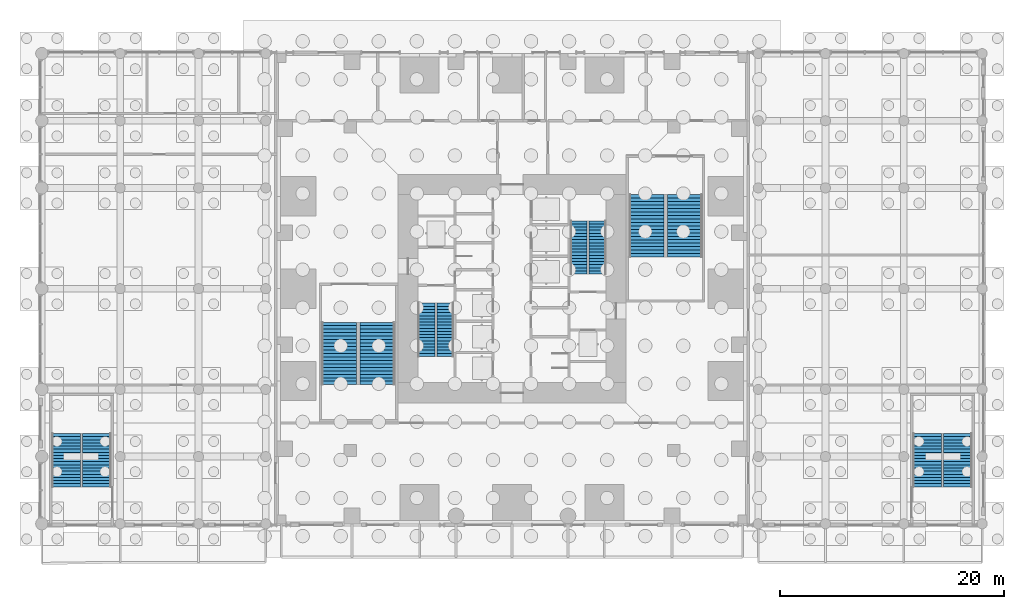
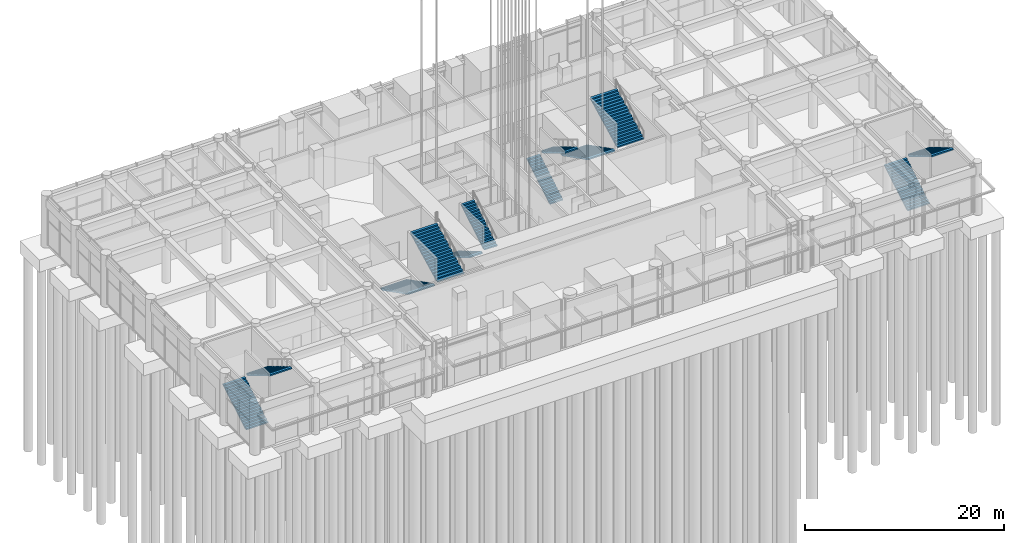
# One storey, part 26 of 46: 12 stair flights, 6 elements without a shape of their own.
"""IFC4 building model written with IfcOpenShell, lengths in metres."""

from ifc_helpers import new_model, si_unit, direction, frame, origin, place, context, subcontext, project, spatial, polyline, outline, extrude, material, type_object, element, aggregate, save


model = new_model("IFC4")

# Units and contexts
model_context = context("Model", 3, precision=1e-05, world=origin(), true_north=direction((0.0, 1.0)))
body_context = subcontext(model_context, "Body", "Model", "MODEL_VIEW")
ifc_project = project(units=[si_unit("LENGTHUNIT", "METRE"), si_unit("AREAUNIT", "SQUARE_METRE"), si_unit("VOLUMEUNIT", "CUBIC_METRE"), si_unit("PLANEANGLEUNIT", "RADIAN"), si_unit("MASSUNIT", "GRAM", prefix="KILO")], contexts=[model_context])

# Site, building, storey
site_placement = place(None, origin())
site = spatial("IfcSite", under=ifc_project, at=site_placement, CompositionType="ELEMENT")
building_placement = place(site_placement, origin())
building = spatial("IfcBuilding", under=site, at=building_placement, Name="Svetlomir Tower", CompositionType="ELEMENT")
storey_placement = place(building_placement, origin())
storey = spatial("IfcBuildingStorey", under=building, at=storey_placement, Name="L00", CompositionType="ELEMENT", Elevation=0.0)

# Stair, stair flights
ifc_material_1 = material(Name="Concrete C60/75", Category="concrete")
stair_type_1 = type_object("IfcStairType", Name="EXIT STAIR 3200 RISE 6000", PredefinedType="HALF_TURN_STAIR", material=ifc_material_1)
stair_1_placement = place(storey_placement, origin())
stair_1 = element("IfcStair", 1, at=stair_1_placement, inside=storey, type_object=stair_type_1, Name="Stair S1 L00 to L01", PredefinedType="HALF_TURN_STAIR")
ifc_material_2 = material(Name="Concrete C60/75", Category="concrete")
stair_flight_type_1 = type_object("IfcStairFlightType", Name="STAIR FLIGHT 1500 OF 18 RISERS", PredefinedType="STRAIGHT", material=ifc_material_2)
stair_flight_1_placement = place(storey_placement, frame((13.35009765625, 19.699951171875, 0.0), z_axis=(0.0, 0.0, 1.0), x_axis=(0.0, -1.0, 0.0)))
stair_flight_1 = element("IfcStairFlight", 2, at=stair_flight_1_placement, type_object=stair_flight_type_1, Name="S1 flight 1", NumberOfRisers=18, NumberOfTreads=17, PredefinedType="STRAIGHT", RiserHeight=0.166666667, TreadLength=0.28, context=body_context, shape_type="SweptSolid", body=[
    extrude(outline(polyline([(0.0, 0.0), (0.0, 0.166748046875), (0.280029296875, 0.166748046875), (0.280029296875, 0.333251953125), (0.56005859375, 0.333251953125), (0.56005859375, 0.5), (0.840087890625, 0.5), (0.840087890625, 0.666748046875), (1.1201171875, 0.666748046875), (1.1201171875, 0.833251953125), (1.39990234375, 0.833251953125), (1.39990234375, 1.0), (1.679931640625, 1.0), (1.679931640625, 1.166748046875), (1.9599609375, 1.166748046875), (1.9599609375, 1.333251953125), (2.239990234375, 1.333251953125), (2.239990234375, 1.5), (2.52001953125, 1.5), (2.52001953125, 1.666748046875), (2.800048828125, 1.666748046875), (2.800048828125, 1.833251953125), (3.080078125, 1.833251953125), (3.080078125, 2.0), (3.360107421875, 2.0), (3.360107421875, 2.166748046875), (3.639892578125, 2.166748046875), (3.639892578125, 2.333251953125), (3.919921875, 2.333251953125), (3.919921875, 2.5), (4.199951171875, 2.5), (4.199951171875, 2.666748046875), (4.47998046875, 2.666748046875), (4.47998046875, 2.833251953125), (4.760009765625, 2.833251953125), (4.760009765625, 3.0), (4.760009765625, 2.658935546875), (0.29296875, 0.0), (0.0, 0.0)])), frame((0.0, 0.75, 0.0), z_axis=(0.0, -1.0, 0.0), x_axis=(1.0, 0.0, 0.0)), (0.0, 0.0, 1.0), 1.5),
])
stair_flight_2_placement = place(storey_placement, frame((15.050048828125, 14.93994140625, 3.0), z_axis=(0.0, 0.0, 1.0), x_axis=(0.0, 1.0, 0.0)))
stair_flight_2 = element("IfcStairFlight", 3, at=stair_flight_2_placement, type_object=stair_flight_type_1, Name="S1 flight 2", NumberOfRisers=18, NumberOfTreads=17, PredefinedType="STRAIGHT", RiserHeight=0.166666667, TreadLength=0.28, context=body_context, shape_type="SweptSolid", body=[
    extrude(outline(polyline([(0.0, 0.0), (0.0, 0.166748046875), (0.280029296875, 0.166748046875), (0.280029296875, 0.333251953125), (0.56005859375, 0.333251953125), (0.56005859375, 0.5), (0.840087890625, 0.5), (0.840087890625, 0.666748046875), (1.1201171875, 0.666748046875), (1.1201171875, 0.833251953125), (1.39990234375, 0.833251953125), (1.39990234375, 1.0), (1.679931640625, 1.0), (1.679931640625, 1.166748046875), (1.9599609375, 1.166748046875), (1.9599609375, 1.333251953125), (2.239990234375, 1.333251953125), (2.239990234375, 1.5), (2.52001953125, 1.5), (2.52001953125, 1.666748046875), (2.800048828125, 1.666748046875), (2.800048828125, 1.833251953125), (3.080078125, 1.833251953125), (3.080078125, 2.0), (3.360107421875, 2.0), (3.360107421875, 2.166748046875), (3.639892578125, 2.166748046875), (3.639892578125, 2.333251953125), (3.919921875, 2.333251953125), (3.919921875, 2.5), (4.199951171875, 2.5), (4.199951171875, 2.666748046875), (4.47998046875, 2.666748046875), (4.47998046875, 2.833251953125), (4.760009765625, 2.833251953125), (4.760009765625, 3.0), (4.760009765625, 2.658935546875), (0.29296875, 0.0), (0.0, 0.0)])), frame((0.0, 0.75, 0.0), z_axis=(0.0, -1.0, 0.0), x_axis=(1.0, 0.0, 0.0)), (0.0, 0.0, 1.0), 1.5),
])
aggregate(stair_1, [stair_flight_1, stair_flight_2])

stair_2_placement = place(storey_placement, origin())
stair_2 = element("IfcStair", 4, at=stair_2_placement, inside=storey, type_object=stair_type_1, Name="Stair S2 L00 to L01", PredefinedType="HALF_TURN_STAIR")
stair_flight_3_placement = place(storey_placement, frame((26.949951171875, 22.300048828125, 0.0), z_axis=(0.0, 0.0, 1.0), x_axis=(0.0, 1.0, 0.0)))
stair_flight_3 = element("IfcStairFlight", 5, at=stair_flight_3_placement, type_object=stair_flight_type_1, Name="S2 flight 1", NumberOfRisers=18, NumberOfTreads=17, PredefinedType="STRAIGHT", RiserHeight=0.166666667, TreadLength=0.28, context=body_context, shape_type="SweptSolid", body=[
    extrude(outline(polyline([(0.0, 0.0), (0.0, 0.166748046875), (0.280029296875, 0.166748046875), (0.280029296875, 0.333251953125), (0.56005859375, 0.333251953125), (0.56005859375, 0.5), (0.840087890625, 0.5), (0.840087890625, 0.666748046875), (1.1201171875, 0.666748046875), (1.1201171875, 0.833251953125), (1.39990234375, 0.833251953125), (1.39990234375, 1.0), (1.679931640625, 1.0), (1.679931640625, 1.166748046875), (1.9599609375, 1.166748046875), (1.9599609375, 1.333251953125), (2.239990234375, 1.333251953125), (2.239990234375, 1.5), (2.52001953125, 1.5), (2.52001953125, 1.666748046875), (2.800048828125, 1.666748046875), (2.800048828125, 1.833251953125), (3.080078125, 1.833251953125), (3.080078125, 2.0), (3.360107421875, 2.0), (3.360107421875, 2.166748046875), (3.639892578125, 2.166748046875), (3.639892578125, 2.333251953125), (3.919921875, 2.333251953125), (3.919921875, 2.5), (4.199951171875, 2.5), (4.199951171875, 2.666748046875), (4.47998046875, 2.666748046875), (4.47998046875, 2.833251953125), (4.760009765625, 2.833251953125), (4.760009765625, 3.0), (4.760009765625, 2.658935546875), (0.29296875, 0.0), (0.0, 0.0)])), frame((0.0, 0.75, 0.0), z_axis=(0.0, -1.0, 0.0), x_axis=(1.0, 0.0, 0.0)), (0.0, 0.0, 1.0), 1.5),
])
stair_flight_4_placement = place(storey_placement, frame((28.64990234375, 27.06005859375, 3.0), z_axis=(0.0, 0.0, 1.0), x_axis=(0.0, -1.0, 0.0)))
stair_flight_4 = element("IfcStairFlight", 6, at=stair_flight_4_placement, type_object=stair_flight_type_1, Name="S2 flight 2", NumberOfRisers=18, NumberOfTreads=17, PredefinedType="STRAIGHT", RiserHeight=0.166666667, TreadLength=0.28, context=body_context, shape_type="SweptSolid", body=[
    extrude(outline(polyline([(0.0, 0.0), (0.0, 0.166748046875), (0.280029296875, 0.166748046875), (0.280029296875, 0.333251953125), (0.56005859375, 0.333251953125), (0.56005859375, 0.5), (0.840087890625, 0.5), (0.840087890625, 0.666748046875), (1.1201171875, 0.666748046875), (1.1201171875, 0.833251953125), (1.39990234375, 0.833251953125), (1.39990234375, 1.0), (1.679931640625, 1.0), (1.679931640625, 1.166748046875), (1.9599609375, 1.166748046875), (1.9599609375, 1.333251953125), (2.239990234375, 1.333251953125), (2.239990234375, 1.5), (2.52001953125, 1.5), (2.52001953125, 1.666748046875), (2.800048828125, 1.666748046875), (2.800048828125, 1.833251953125), (3.080078125, 1.833251953125), (3.080078125, 2.0), (3.360107421875, 2.0), (3.360107421875, 2.166748046875), (3.639892578125, 2.166748046875), (3.639892578125, 2.333251953125), (3.919921875, 2.333251953125), (3.919921875, 2.5), (4.199951171875, 2.5), (4.199951171875, 2.666748046875), (4.47998046875, 2.666748046875), (4.47998046875, 2.833251953125), (4.760009765625, 2.833251953125), (4.760009765625, 3.0), (4.760009765625, 2.658935546875), (0.29296875, 0.0), (0.0, 0.0)])), frame((0.0, 0.75, 0.0), z_axis=(0.0, -1.0, 0.0), x_axis=(1.0, 0.0, 0.0)), (0.0, 0.0, 1.0), 1.5),
])
aggregate(stair_2, [stair_flight_3, stair_flight_4])

ifc_material_3 = material(Name="Concrete C60/75", Category="concrete")
stair_type_2 = type_object("IfcStairType", Name="EXIT STAIR 5300 RISE 6000", PredefinedType="HALF_TURN_STAIR", material=ifc_material_3)
stair_3_placement = place(storey_placement, origin())
stair_3 = element("IfcStair", 7, at=stair_3_placement, inside=storey, type_object=stair_type_2, Name="Stair P3 L00 to L01", PredefinedType="HALF_TURN_STAIR")
ifc_material_4 = material(Name="Concrete C60/75", Category="concrete")
stair_flight_type_2 = type_object("IfcStairFlightType", Name="STAIR FLIGHT 2550 OF 18 RISERS", PredefinedType="STRAIGHT", material=ifc_material_4)
stair_flight_5_placement = place(storey_placement, frame((-18.824951171875, 3.300048828125, 0.0), z_axis=(0.0, 0.0, 1.0), x_axis=(0.0, 1.0, 0.0)))
stair_flight_5 = element("IfcStairFlight", 8, at=stair_flight_5_placement, type_object=stair_flight_type_2, Name="P3 flight 1", NumberOfRisers=18, NumberOfTreads=17, PredefinedType="STRAIGHT", RiserHeight=0.166666667, TreadLength=0.28, context=body_context, shape_type="SweptSolid", body=[
    extrude(outline(polyline([(0.0, 0.0), (0.0, 0.166748046875), (0.280029296875, 0.166748046875), (0.280029296875, 0.333251953125), (0.56005859375, 0.333251953125), (0.56005859375, 0.5), (0.840087890625, 0.5), (0.840087890625, 0.666748046875), (1.1201171875, 0.666748046875), (1.1201171875, 0.833251953125), (1.39990234375, 0.833251953125), (1.39990234375, 1.0), (1.679931640625, 1.0), (1.679931640625, 1.166748046875), (1.9599609375, 1.166748046875), (1.9599609375, 1.333251953125), (2.239990234375, 1.333251953125), (2.239990234375, 1.5), (2.52001953125, 1.5), (2.52001953125, 1.666748046875), (2.800048828125, 1.666748046875), (2.800048828125, 1.833251953125), (3.080078125, 1.833251953125), (3.080078125, 2.0), (3.360107421875, 2.0), (3.360107421875, 2.166748046875), (3.639892578125, 2.166748046875), (3.639892578125, 2.333251953125), (3.919921875, 2.333251953125), (3.919921875, 2.5), (4.199951171875, 2.5), (4.199951171875, 2.666748046875), (4.47998046875, 2.666748046875), (4.47998046875, 2.833251953125), (4.760009765625, 2.833251953125), (4.760009765625, 3.0), (4.760009765625, 2.658935546875), (0.29296875, 0.0), (0.0, 0.0)])), frame((0.0, 1.27490234375, 0.0), z_axis=(0.0, -1.0, 0.0), x_axis=(1.0, 0.0, 0.0)), (0.0, 0.0, 1.0), 2.550048828125),
])
stair_flight_6_placement = place(storey_placement, frame((-16.074951171875, 8.06005859375, 3.0), z_axis=(0.0, 0.0, 1.0), x_axis=(0.0, -1.0, 0.0)))
stair_flight_6 = element("IfcStairFlight", 9, at=stair_flight_6_placement, type_object=stair_flight_type_2, Name="P3 flight 2", NumberOfRisers=18, NumberOfTreads=17, PredefinedType="STRAIGHT", RiserHeight=0.166666667, TreadLength=0.28, context=body_context, shape_type="SweptSolid", body=[
    extrude(outline(polyline([(0.0, 0.0), (0.0, 0.166748046875), (0.280029296875, 0.166748046875), (0.280029296875, 0.333251953125), (0.56005859375, 0.333251953125), (0.56005859375, 0.5), (0.840087890625, 0.5), (0.840087890625, 0.666748046875), (1.1201171875, 0.666748046875), (1.1201171875, 0.833251953125), (1.39990234375, 0.833251953125), (1.39990234375, 1.0), (1.679931640625, 1.0), (1.679931640625, 1.166748046875), (1.9599609375, 1.166748046875), (1.9599609375, 1.333251953125), (2.239990234375, 1.333251953125), (2.239990234375, 1.5), (2.52001953125, 1.5), (2.52001953125, 1.666748046875), (2.800048828125, 1.666748046875), (2.800048828125, 1.833251953125), (3.080078125, 1.833251953125), (3.080078125, 2.0), (3.360107421875, 2.0), (3.360107421875, 2.166748046875), (3.639892578125, 2.166748046875), (3.639892578125, 2.333251953125), (3.919921875, 2.333251953125), (3.919921875, 2.5), (4.199951171875, 2.5), (4.199951171875, 2.666748046875), (4.47998046875, 2.666748046875), (4.47998046875, 2.833251953125), (4.760009765625, 2.833251953125), (4.760009765625, 3.0), (4.760009765625, 2.658935546875), (0.29296875, 0.0), (0.0, 0.0)])), frame((0.0, 1.27490234375, 0.0), z_axis=(0.0, -1.0, 0.0), x_axis=(1.0, 0.0, 0.0)), (0.0, 0.0, 1.0), 2.550048828125),
])
aggregate(stair_3, [stair_flight_5, stair_flight_6])

stair_4_placement = place(storey_placement, origin())
stair_4 = element("IfcStair", 10, at=stair_4_placement, inside=storey, type_object=stair_type_2, Name="Stair P4 L00 to L01", PredefinedType="HALF_TURN_STAIR")
stair_flight_7_placement = place(storey_placement, frame((58.074951171875, 3.300048828125, 0.0), z_axis=(0.0, 0.0, 1.0), x_axis=(0.0, 1.0, 0.0)))
stair_flight_7 = element("IfcStairFlight", 11, at=stair_flight_7_placement, type_object=stair_flight_type_2, Name="P4 flight 1", NumberOfRisers=18, NumberOfTreads=17, PredefinedType="STRAIGHT", RiserHeight=0.166666667, TreadLength=0.28, context=body_context, shape_type="SweptSolid", body=[
    extrude(outline(polyline([(0.0, 0.0), (0.0, 0.166748046875), (0.280029296875, 0.166748046875), (0.280029296875, 0.333251953125), (0.56005859375, 0.333251953125), (0.56005859375, 0.5), (0.840087890625, 0.5), (0.840087890625, 0.666748046875), (1.1201171875, 0.666748046875), (1.1201171875, 0.833251953125), (1.39990234375, 0.833251953125), (1.39990234375, 1.0), (1.679931640625, 1.0), (1.679931640625, 1.166748046875), (1.9599609375, 1.166748046875), (1.9599609375, 1.333251953125), (2.239990234375, 1.333251953125), (2.239990234375, 1.5), (2.52001953125, 1.5), (2.52001953125, 1.666748046875), (2.800048828125, 1.666748046875), (2.800048828125, 1.833251953125), (3.080078125, 1.833251953125), (3.080078125, 2.0), (3.360107421875, 2.0), (3.360107421875, 2.166748046875), (3.639892578125, 2.166748046875), (3.639892578125, 2.333251953125), (3.919921875, 2.333251953125), (3.919921875, 2.5), (4.199951171875, 2.5), (4.199951171875, 2.666748046875), (4.47998046875, 2.666748046875), (4.47998046875, 2.833251953125), (4.760009765625, 2.833251953125), (4.760009765625, 3.0), (4.760009765625, 2.658935546875), (0.29296875, 0.0), (0.0, 0.0)])), frame((0.0, 1.27490234375, 0.0), z_axis=(0.0, -1.0, 0.0), x_axis=(1.0, 0.0, 0.0)), (0.0, 0.0, 1.0), 2.550048828125),
])
stair_flight_8_placement = place(storey_placement, frame((60.824951171875, 8.06005859375, 3.0), z_axis=(0.0, 0.0, 1.0), x_axis=(0.0, -1.0, 0.0)))
stair_flight_8 = element("IfcStairFlight", 12, at=stair_flight_8_placement, type_object=stair_flight_type_2, Name="P4 flight 2", NumberOfRisers=18, NumberOfTreads=17, PredefinedType="STRAIGHT", RiserHeight=0.166666667, TreadLength=0.28, context=body_context, shape_type="SweptSolid", body=[
    extrude(outline(polyline([(0.0, 0.0), (0.0, 0.166748046875), (0.280029296875, 0.166748046875), (0.280029296875, 0.333251953125), (0.56005859375, 0.333251953125), (0.56005859375, 0.5), (0.840087890625, 0.5), (0.840087890625, 0.666748046875), (1.1201171875, 0.666748046875), (1.1201171875, 0.833251953125), (1.39990234375, 0.833251953125), (1.39990234375, 1.0), (1.679931640625, 1.0), (1.679931640625, 1.166748046875), (1.9599609375, 1.166748046875), (1.9599609375, 1.333251953125), (2.239990234375, 1.333251953125), (2.239990234375, 1.5), (2.52001953125, 1.5), (2.52001953125, 1.666748046875), (2.800048828125, 1.666748046875), (2.800048828125, 1.833251953125), (3.080078125, 1.833251953125), (3.080078125, 2.0), (3.360107421875, 2.0), (3.360107421875, 2.166748046875), (3.639892578125, 2.166748046875), (3.639892578125, 2.333251953125), (3.919921875, 2.333251953125), (3.919921875, 2.5), (4.199951171875, 2.5), (4.199951171875, 2.666748046875), (4.47998046875, 2.666748046875), (4.47998046875, 2.833251953125), (4.760009765625, 2.833251953125), (4.760009765625, 3.0), (4.760009765625, 2.658935546875), (0.29296875, 0.0), (0.0, 0.0)])), frame((0.0, 1.27490234375, 0.0), z_axis=(0.0, -1.0, 0.0), x_axis=(1.0, 0.0, 0.0)), (0.0, 0.0, 1.0), 2.550048828125),
])
aggregate(stair_4, [stair_flight_7, stair_flight_8])

ifc_material_5 = material(Name="Concrete C60/75", Category="concrete")
stair_type_3 = type_object("IfcStairType", Name="EXIT STAIR 6600 RISE 6000", PredefinedType="HALF_TURN_STAIR", material=ifc_material_5)
stair_5_placement = place(storey_placement, origin())
stair_5 = element("IfcStair", 13, at=stair_5_placement, inside=storey, type_object=stair_type_3, Name="Stair P1 L00 to L01", PredefinedType="HALF_TURN_STAIR")
ifc_material_6 = material(Name="Concrete C60/75", Category="concrete")
stair_flight_type_3 = type_object("IfcStairFlightType", Name="STAIR FLIGHT 3100 OF 19 RISERS GOING 310", PredefinedType="STRAIGHT", material=ifc_material_6)
stair_flight_9_placement = place(storey_placement, frame((5.550048828125, 18.0, 0.0), z_axis=(0.0, 0.0, 1.0), x_axis=(0.0, -1.0, 0.0)))
stair_flight_9 = element("IfcStairFlight", 14, at=stair_flight_9_placement, type_object=stair_flight_type_3, Name="P1 flight 1", NumberOfRisers=19, NumberOfTreads=18, PredefinedType="STRAIGHT", RiserHeight=0.157894737, TreadLength=0.31, context=body_context, shape_type="SweptSolid", body=[
    extrude(outline(polyline([(0.0, 0.0), (0.0, 0.157958984375), (0.31005859375, 0.157958984375), (0.31005859375, 0.315673828125), (0.6201171875, 0.315673828125), (0.6201171875, 0.4736328125), (0.929931640625, 0.4736328125), (0.929931640625, 0.631591796875), (1.239990234375, 0.631591796875), (1.239990234375, 0.78955078125), (1.550048828125, 0.78955078125), (1.550048828125, 0.947265625), (1.860107421875, 0.947265625), (1.860107421875, 1.105224609375), (2.169921875, 1.105224609375), (2.169921875, 1.26318359375), (2.47998046875, 1.26318359375), (2.47998046875, 1.421142578125), (2.7900390625, 1.421142578125), (2.7900390625, 1.578857421875), (3.10009765625, 1.578857421875), (3.10009765625, 1.73681640625), (3.409912109375, 1.73681640625), (3.409912109375, 1.894775390625), (3.719970703125, 1.894775390625), (3.719970703125, 2.052734375), (4.030029296875, 2.052734375), (4.030029296875, 2.21044921875), (4.340087890625, 2.21044921875), (4.340087890625, 2.368408203125), (4.64990234375, 2.368408203125), (4.64990234375, 2.5263671875), (4.9599609375, 2.5263671875), (4.9599609375, 2.684326171875), (5.27001953125, 2.684326171875), (5.27001953125, 2.842041015625), (5.580078125, 2.842041015625), (5.580078125, 3.0), (5.580078125, 2.673828125), (0.330322265625, 0.0), (0.0, 0.0)])), frame((0.0, 1.550048828125, 0.0), z_axis=(0.0, -1.0, 0.0), x_axis=(1.0, 0.0, 0.0)), (0.0, 0.0, 1.0), 3.10009765625),
])
stair_flight_10_placement = place(storey_placement, frame((8.949951171875, 12.419921875, 3.0), z_axis=(0.0, 0.0, 1.0), x_axis=(0.0, 1.0, 0.0)))
stair_flight_10 = element("IfcStairFlight", 15, at=stair_flight_10_placement, type_object=stair_flight_type_3, Name="P1 flight 2", NumberOfRisers=19, NumberOfTreads=18, PredefinedType="STRAIGHT", RiserHeight=0.157894737, TreadLength=0.31, context=body_context, shape_type="SweptSolid", body=[
    extrude(outline(polyline([(0.0, 0.0), (0.0, 0.157958984375), (0.31005859375, 0.157958984375), (0.31005859375, 0.315673828125), (0.6201171875, 0.315673828125), (0.6201171875, 0.4736328125), (0.929931640625, 0.4736328125), (0.929931640625, 0.631591796875), (1.239990234375, 0.631591796875), (1.239990234375, 0.78955078125), (1.550048828125, 0.78955078125), (1.550048828125, 0.947265625), (1.860107421875, 0.947265625), (1.860107421875, 1.105224609375), (2.169921875, 1.105224609375), (2.169921875, 1.26318359375), (2.47998046875, 1.26318359375), (2.47998046875, 1.421142578125), (2.7900390625, 1.421142578125), (2.7900390625, 1.578857421875), (3.10009765625, 1.578857421875), (3.10009765625, 1.73681640625), (3.409912109375, 1.73681640625), (3.409912109375, 1.894775390625), (3.719970703125, 1.894775390625), (3.719970703125, 2.052734375), (4.030029296875, 2.052734375), (4.030029296875, 2.21044921875), (4.340087890625, 2.21044921875), (4.340087890625, 2.368408203125), (4.64990234375, 2.368408203125), (4.64990234375, 2.5263671875), (4.9599609375, 2.5263671875), (4.9599609375, 2.684326171875), (5.27001953125, 2.684326171875), (5.27001953125, 2.842041015625), (5.580078125, 2.842041015625), (5.580078125, 3.0), (5.580078125, 2.673828125), (0.330322265625, 0.0), (0.0, 0.0)])), frame((0.0, 1.550048828125, 0.0), z_axis=(0.0, -1.0, 0.0), x_axis=(1.0, 0.0, 0.0)), (0.0, 0.0, 1.0), 3.10009765625),
])
aggregate(stair_5, [stair_flight_9, stair_flight_10])

stair_6_placement = place(storey_placement, origin())
stair_6 = element("IfcStair", 16, at=stair_6_placement, inside=storey, type_object=stair_type_3, Name="Stair P2 L00 to L01", PredefinedType="HALF_TURN_STAIR")
stair_flight_11_placement = place(storey_placement, frame((33.050048828125, 29.39990234375, 0.0), z_axis=(0.0, 0.0, 1.0), x_axis=(0.0, -1.0, 0.0)))
stair_flight_11 = element("IfcStairFlight", 17, at=stair_flight_11_placement, type_object=stair_flight_type_3, Name="P2 flight 1", NumberOfRisers=19, NumberOfTreads=18, PredefinedType="STRAIGHT", RiserHeight=0.157894737, TreadLength=0.31, context=body_context, shape_type="SweptSolid", body=[
    extrude(outline(polyline([(0.0, 0.0), (0.0, 0.157958984375), (0.31005859375, 0.157958984375), (0.31005859375, 0.315673828125), (0.6201171875, 0.315673828125), (0.6201171875, 0.4736328125), (0.929931640625, 0.4736328125), (0.929931640625, 0.631591796875), (1.239990234375, 0.631591796875), (1.239990234375, 0.78955078125), (1.550048828125, 0.78955078125), (1.550048828125, 0.947265625), (1.860107421875, 0.947265625), (1.860107421875, 1.105224609375), (2.169921875, 1.105224609375), (2.169921875, 1.26318359375), (2.47998046875, 1.26318359375), (2.47998046875, 1.421142578125), (2.7900390625, 1.421142578125), (2.7900390625, 1.578857421875), (3.10009765625, 1.578857421875), (3.10009765625, 1.73681640625), (3.409912109375, 1.73681640625), (3.409912109375, 1.894775390625), (3.719970703125, 1.894775390625), (3.719970703125, 2.052734375), (4.030029296875, 2.052734375), (4.030029296875, 2.21044921875), (4.340087890625, 2.21044921875), (4.340087890625, 2.368408203125), (4.64990234375, 2.368408203125), (4.64990234375, 2.5263671875), (4.9599609375, 2.5263671875), (4.9599609375, 2.684326171875), (5.27001953125, 2.684326171875), (5.27001953125, 2.842041015625), (5.580078125, 2.842041015625), (5.580078125, 3.0), (5.580078125, 2.673828125), (0.330322265625, 0.0), (0.0, 0.0)])), frame((0.0, 1.550048828125, 0.0), z_axis=(0.0, -1.0, 0.0), x_axis=(1.0, 0.0, 0.0)), (0.0, 0.0, 1.0), 3.10009765625),
])
stair_flight_12_placement = place(storey_placement, frame((36.449951171875, 23.820068359375, 3.0), z_axis=(0.0, 0.0, 1.0), x_axis=(0.0, 1.0, 0.0)))
stair_flight_12 = element("IfcStairFlight", 18, at=stair_flight_12_placement, type_object=stair_flight_type_3, Name="P2 flight 2", NumberOfRisers=19, NumberOfTreads=18, PredefinedType="STRAIGHT", RiserHeight=0.157894737, TreadLength=0.31, context=body_context, shape_type="SweptSolid", body=[
    extrude(outline(polyline([(0.0, 0.0), (0.0, 0.157958984375), (0.31005859375, 0.157958984375), (0.31005859375, 0.315673828125), (0.6201171875, 0.315673828125), (0.6201171875, 0.4736328125), (0.929931640625, 0.4736328125), (0.929931640625, 0.631591796875), (1.239990234375, 0.631591796875), (1.239990234375, 0.78955078125), (1.550048828125, 0.78955078125), (1.550048828125, 0.947265625), (1.860107421875, 0.947265625), (1.860107421875, 1.105224609375), (2.169921875, 1.105224609375), (2.169921875, 1.26318359375), (2.47998046875, 1.26318359375), (2.47998046875, 1.421142578125), (2.7900390625, 1.421142578125), (2.7900390625, 1.578857421875), (3.10009765625, 1.578857421875), (3.10009765625, 1.73681640625), (3.409912109375, 1.73681640625), (3.409912109375, 1.894775390625), (3.719970703125, 1.894775390625), (3.719970703125, 2.052734375), (4.030029296875, 2.052734375), (4.030029296875, 2.21044921875), (4.340087890625, 2.21044921875), (4.340087890625, 2.368408203125), (4.64990234375, 2.368408203125), (4.64990234375, 2.5263671875), (4.9599609375, 2.5263671875), (4.9599609375, 2.684326171875), (5.27001953125, 2.684326171875), (5.27001953125, 2.842041015625), (5.580078125, 2.842041015625), (5.580078125, 3.0), (5.580078125, 2.673828125), (0.330322265625, 0.0), (0.0, 0.0)])), frame((0.0, 1.550048828125, 0.0), z_axis=(0.0, -1.0, 0.0), x_axis=(1.0, 0.0, 0.0)), (0.0, 0.0, 1.0), 3.10009765625),
])
aggregate(stair_6, [stair_flight_11, stair_flight_12])

save(model, "model.ifc")
